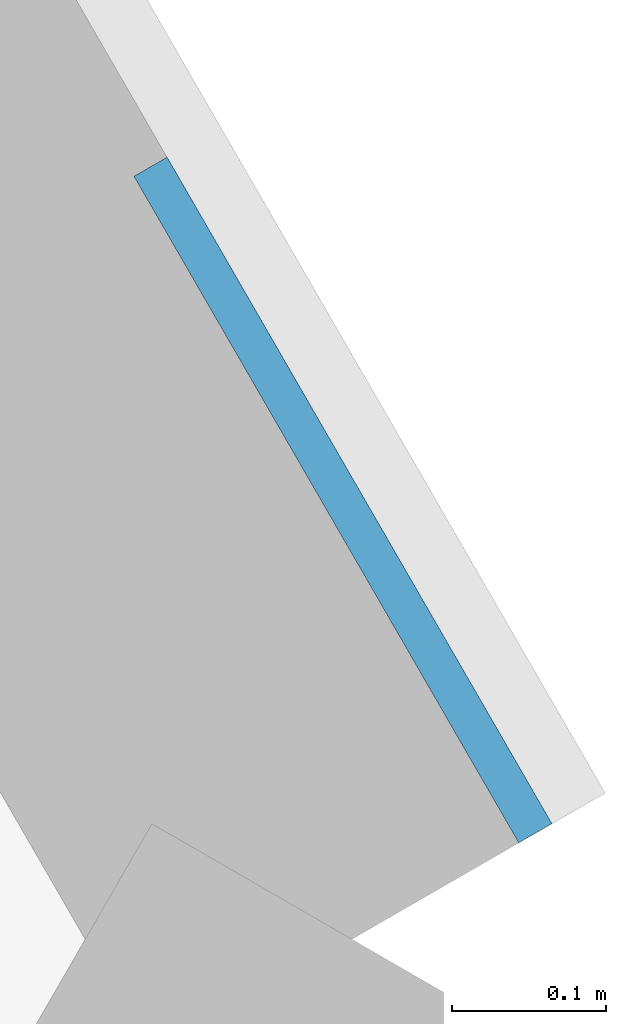
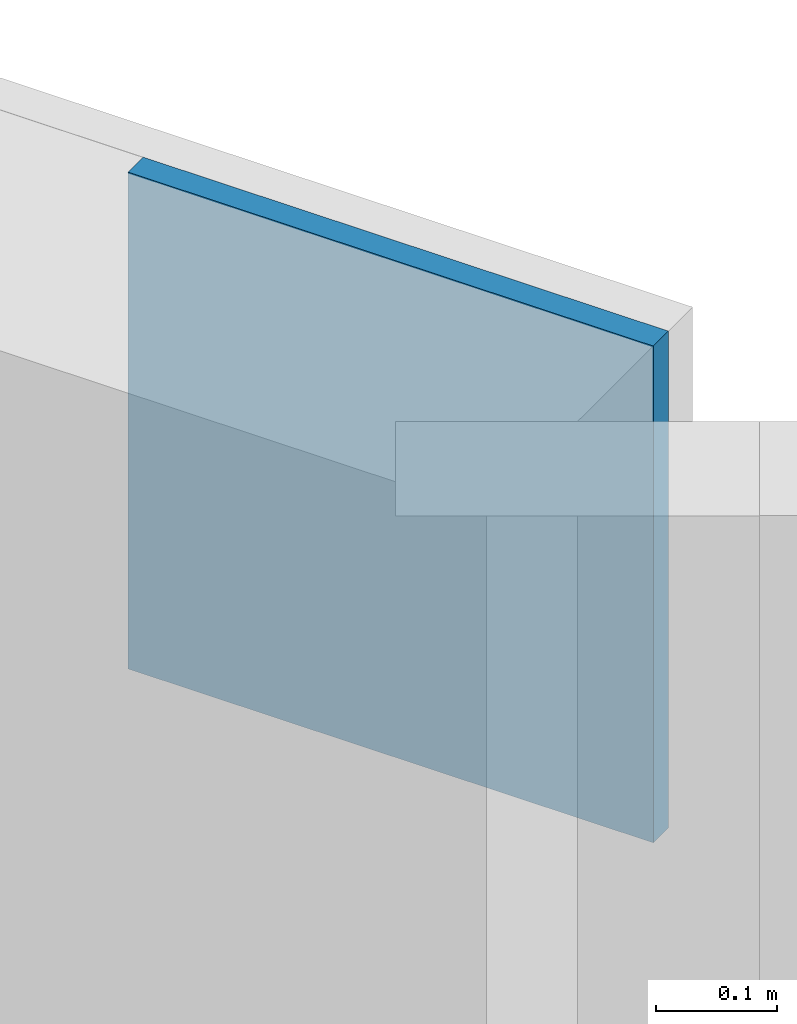
# One storey, part 12 of 14: 1 discrete accessory.
"""IFC4 building model written with IfcOpenShell, lengths in metres."""

from ifc_helpers import new_model, si_unit, direction, frame, origin, origin_2d, place, context, subcontext, project, spatial, rectangle, extrude, material, layer, layer_set, type_object, element, save


model = new_model("IFC4")

# Units and contexts
model_context = context("Model", 3, precision=1e-05, world=origin(), true_north=direction((0.0, 1.0)))
body_context = subcontext(model_context, "Body", "Model", "MODEL_VIEW")
ifc_project = project(units=[si_unit("LENGTHUNIT", "METRE"), si_unit("AREAUNIT", "SQUARE_METRE"), si_unit("VOLUMEUNIT", "CUBIC_METRE"), si_unit("PLANEANGLEUNIT", "RADIAN"), si_unit("MASSUNIT", "GRAM", prefix="KILO")], contexts=[model_context])

# Site, building, storey
site_placement = place(None, origin())
site = spatial("IfcSite", under=ifc_project, at=site_placement, CompositionType="ELEMENT")
building_placement = place(site_placement, origin())
building = spatial("IfcBuilding", under=site, at=building_placement, Name="Firuza Gate Tower and Library", CompositionType="ELEMENT")
storey_placement = place(building_placement, frame((0.0, 0.0, 35.5)))
storey = spatial("IfcBuildingStorey", under=building, at=storey_placement, Name="L07", CompositionType="ELEMENT", Elevation=35.5)

# Discrete accessory
ifc_material = material(Name="Steel S355", Category="steel")
ifc_layer = layer(ifc_material, 0.02490234375)
ifc_layer_set = layer_set([ifc_layer], Name="Cast-in anchor plate 500x500x25 Steel S355")
discrete_accessory_type = type_object("IfcDiscreteAccessoryType", Name="Cast-in anchor plate 500x500x25 Steel S355", PredefinedType="BRACKET", material=ifc_layer_set)
discrete_accessory_placement = place(storey_placement, frame((107.498046875, 60.736083984375, 3.800048828125), z_axis=(0.0, 0.0, 1.0), x_axis=(-0.5, 0.866025403784, 0.0)))
element("IfcDiscreteAccessory", 1, at=discrete_accessory_placement, inside=storey, type_object=discrete_accessory_type, Name="Cast-in anchor plate", PredefinedType="BRACKET", context=body_context, shape_type="SweptSolid", body=[
    extrude(rectangle(XDim=0.5, YDim=0.02490234375, at=origin_2d()), origin(), (0.0, 0.0, 1.0), 0.5),
])

save(model, "model.ifc")
